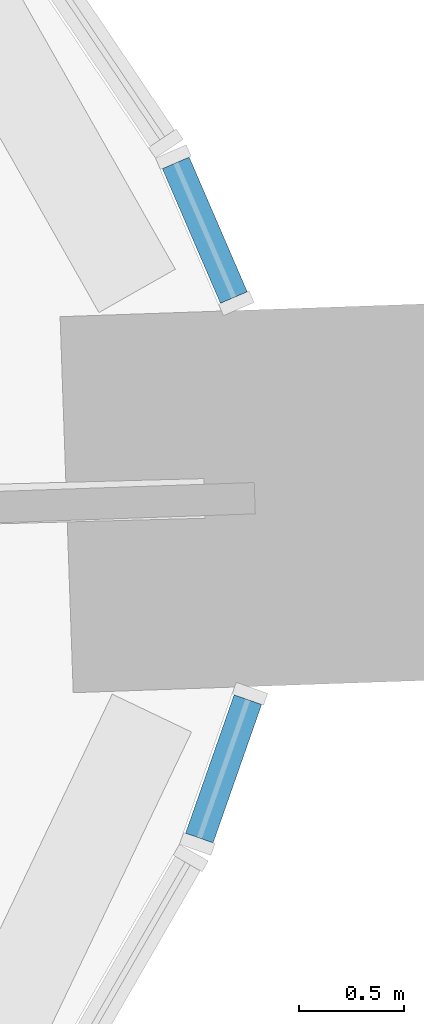
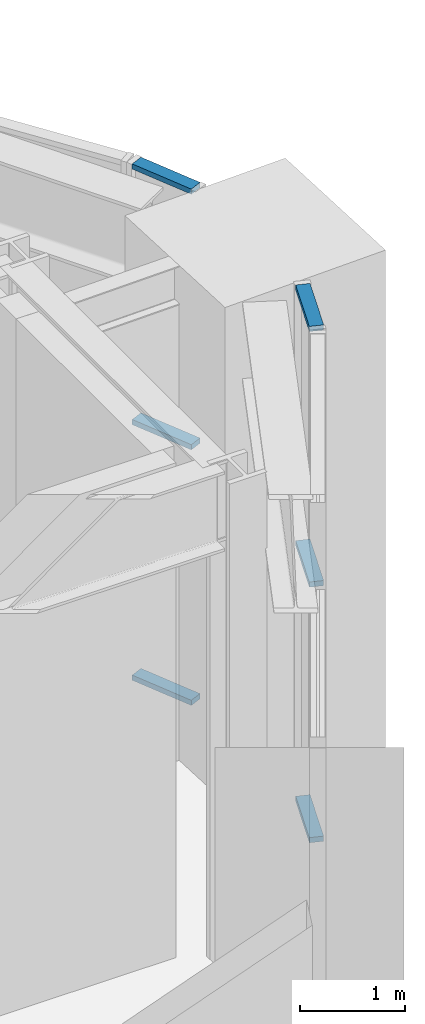
# One storey, part 13 of 32: 6 members, 2 elements without a shape of their own.
"""IFC4 building model written with IfcOpenShell, lengths in metres."""

from ifc_helpers import new_model, si_unit, direction, frame, origin, origin_2d, place, context, subcontext, project, spatial, rectangle, extrude, material, material_profile, profile_set, type_object, element, aggregate, save


model = new_model("IFC4")

# Units and contexts
model_context = context("Model", 3, precision=1e-05, world=origin(), true_north=direction((0.0, 1.0)))
body_context = subcontext(model_context, "Body", "Model", "MODEL_VIEW")
ifc_project = project(units=[si_unit("LENGTHUNIT", "METRE"), si_unit("AREAUNIT", "SQUARE_METRE"), si_unit("VOLUMEUNIT", "CUBIC_METRE"), si_unit("PLANEANGLEUNIT", "RADIAN"), si_unit("MASSUNIT", "GRAM", prefix="KILO")], contexts=[model_context])

# Site, building, storey
site_placement = place(None, origin())
site = spatial("IfcSite", under=ifc_project, at=site_placement, CompositionType="ELEMENT")
building_placement = place(site_placement, origin())
building = spatial("IfcBuilding", under=site, at=building_placement, Name="Tarnside Tower", CompositionType="ELEMENT")
storey_placement = place(building_placement, frame((0.0, 0.0, 9.0)))
storey = spatial("IfcBuildingStorey", under=building, at=storey_placement, Name="L01", CompositionType="ELEMENT", Elevation=9.0)

# Curtain wall, members
ifc_material_1 = material(Name="Retail shopfront glazing wall", Category="glass")
curtain_wall_type = type_object("IfcCurtainWallType", Name="Retail shopfront glazing wall", PredefinedType="NOTDEFINED", material=ifc_material_1)
curtain_wall_1_placement = place(storey_placement, origin())
curtain_wall_1 = element("IfcCurtainWall", 1, at=curtain_wall_1_placement, inside=storey, type_object=curtain_wall_type, Name="Retail shopfront glazing L01 18.1", PredefinedType="NOTDEFINED")
ifc_material_2 = material(Name="Aluminium alloy 6063", Category="aluminium")
ifc_material_profile = material_profile(ifc_material_2, rectangle(XDim=0.139892578125, YDim=0.06005859375, at=origin_2d()), Name="Retail shopfront glazing transom 60 x 140")
ifc_profile_set = profile_set([ifc_material_profile], Name="Aluminium alloy 6063")
member_type = type_object("IfcMemberType", Name="Retail shopfront glazing transom 60 x 140", PredefinedType="USERDEFINED", material=ifc_profile_set)
member_1_placement = place(storey_placement, frame((33.419921875, -0.449951171875, -0.219970703125), z_axis=(0.331017029232, 0.943624780492, 0.0), x_axis=(-0.943624780492, 0.331017029232, 0.0)))
member_1 = element("IfcMember", 2, at=member_1_placement, type_object=member_type, Name="CW2 transom 1.1", ObjectType="TRANSOM", PredefinedType="USERDEFINED", context=body_context, shape_type="SweptSolid", body=[
    extrude(rectangle(XDim=0.139892578125, YDim=0.06005859375, at=origin_2d()), origin(), (0.0, 0.0, 1.0), 0.701416015625),
])
member_2_placement = place(storey_placement, frame((33.419921875, -0.449951171875, 2.75), z_axis=(0.331017029232, 0.943624780492, 0.0), x_axis=(-0.943624780492, 0.331017029232, 0.0)))
member_2 = element("IfcMember", 3, at=member_2_placement, type_object=member_type, Name="CW2 transom 1.2", ObjectType="TRANSOM", PredefinedType="USERDEFINED", context=body_context, shape_type="SweptSolid", body=[
    extrude(rectangle(XDim=0.139892578125, YDim=0.06005859375, at=origin_2d()), origin(), (0.0, 0.0, 1.0), 0.701416015625),
])
member_3_placement = place(storey_placement, frame((33.419921875, -0.449951171875, 5.719970703125), z_axis=(0.331017029232, 0.943624780492, 0.0), x_axis=(-0.943624780492, 0.331017029232, 0.0)))
member_3 = element("IfcMember", 4, at=member_3_placement, type_object=member_type, Name="CW2 transom 1.3", ObjectType="TRANSOM", PredefinedType="USERDEFINED", context=body_context, shape_type="SweptSolid", body=[
    extrude(rectangle(XDim=0.139892578125, YDim=0.06005859375, at=origin_2d()), origin(), (0.0, 0.0, 1.0), 0.701416015625),
])
aggregate(curtain_wall_1, [member_1, member_2, member_3])

curtain_wall_2_placement = place(storey_placement, origin())
curtain_wall_2 = element("IfcCurtainWall", 5, at=curtain_wall_2_placement, inside=storey, type_object=curtain_wall_type, Name="Retail shopfront glazing L01 19.0", PredefinedType="NOTDEFINED")
member_4_placement = place(storey_placement, frame((33.5849609375, 2.135986328125, -0.219970703125), z_axis=(-0.396102619684, 0.918206248443, 0.0), x_axis=(-0.918206248443, -0.396102619684, 0.0)))
member_4 = element("IfcMember", 6, at=member_4_placement, type_object=member_type, Name="CW2 transom 1.1", ObjectType="TRANSOM", PredefinedType="USERDEFINED", context=body_context, shape_type="SweptSolid", body=[
    extrude(rectangle(XDim=0.139892578125, YDim=0.06005859375, at=origin_2d()), origin(), (0.0, 0.0, 1.0), 0.701416015625),
])
member_5_placement = place(storey_placement, frame((33.5849609375, 2.135986328125, 2.75), z_axis=(-0.396102619684, 0.918206248443, 0.0), x_axis=(-0.918206248443, -0.396102619684, 0.0)))
member_5 = element("IfcMember", 7, at=member_5_placement, type_object=member_type, Name="CW2 transom 1.2", ObjectType="TRANSOM", PredefinedType="USERDEFINED", context=body_context, shape_type="SweptSolid", body=[
    extrude(rectangle(XDim=0.139892578125, YDim=0.06005859375, at=origin_2d()), origin(), (0.0, 0.0, 1.0), 0.701416015625),
])
member_6_placement = place(storey_placement, frame((33.5849609375, 2.135986328125, 5.719970703125), z_axis=(-0.396102619684, 0.918206248443, 0.0), x_axis=(-0.918206248443, -0.396102619684, 0.0)))
member_6 = element("IfcMember", 8, at=member_6_placement, type_object=member_type, Name="CW2 transom 1.3", ObjectType="TRANSOM", PredefinedType="USERDEFINED", context=body_context, shape_type="SweptSolid", body=[
    extrude(rectangle(XDim=0.139892578125, YDim=0.06005859375, at=origin_2d()), origin(), (0.0, 0.0, 1.0), 0.701416015625),
])
aggregate(curtain_wall_2, [member_4, member_5, member_6])

save(model, "model.ifc")
